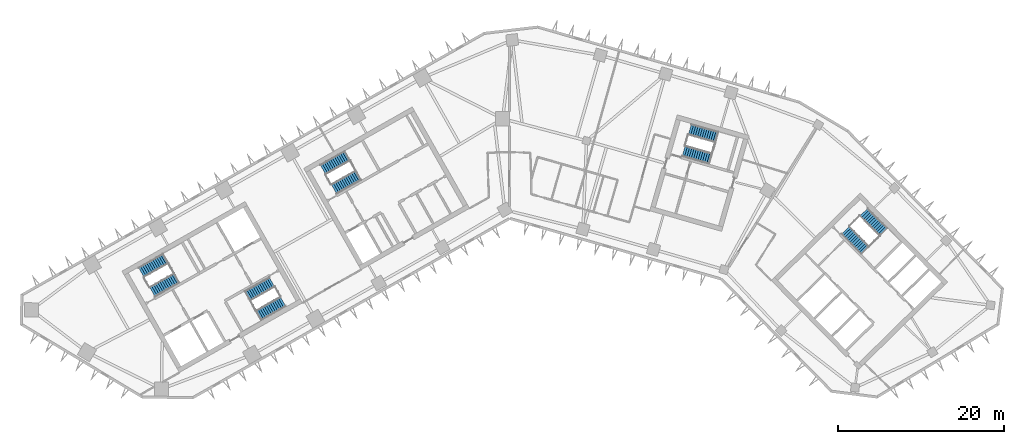
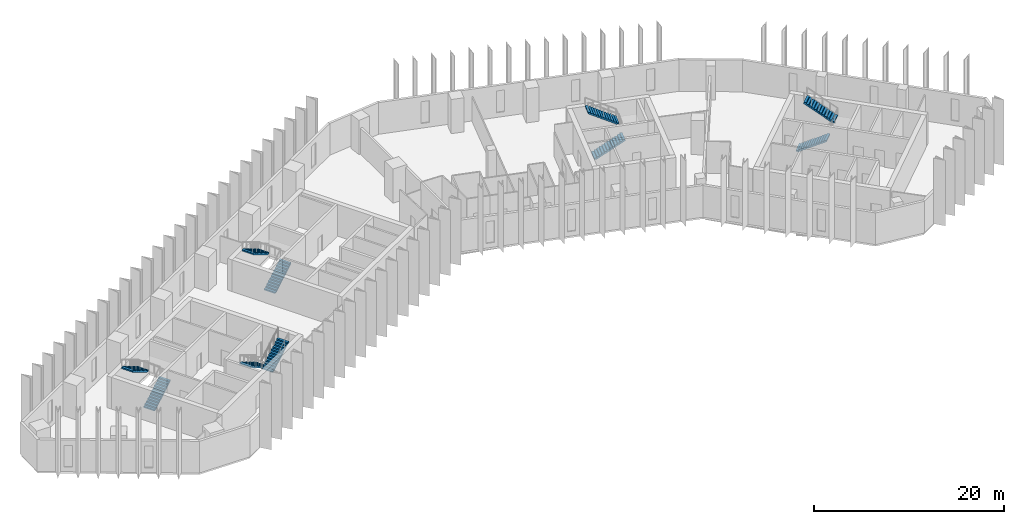
# One storey, part 8 of 11: 10 stair flights, 5 elements without a shape of their own.
"""IFC4 building model written with IfcOpenShell, lengths in metres."""

from ifc_helpers import new_model, si_unit, direction, frame, origin, place, context, subcontext, project, spatial, polyline, outline, extrude, material, type_object, element, aggregate, save


model = new_model("IFC4")

# Units and contexts
model_context = context("Model", 3, precision=1e-05, world=origin(), true_north=direction((0.0, 1.0)))
body_context = subcontext(model_context, "Body", "Model", "MODEL_VIEW")
ifc_project = project(units=[si_unit("LENGTHUNIT", "METRE"), si_unit("AREAUNIT", "SQUARE_METRE"), si_unit("VOLUMEUNIT", "CUBIC_METRE"), si_unit("PLANEANGLEUNIT", "RADIAN"), si_unit("MASSUNIT", "GRAM", prefix="KILO")], contexts=[model_context])

# Site, building, storey
site_placement = place(None, origin())
site = spatial("IfcSite", under=ifc_project, at=site_placement, CompositionType="ELEMENT")
building_placement = place(site_placement, origin())
building = spatial("IfcBuilding", under=site, at=building_placement, Name="Binnacle Exchange Tower", CompositionType="ELEMENT")
storey_placement = place(building_placement, frame((0.0, 0.0, 141.10009765625)))
storey = spatial("IfcBuildingStorey", under=building, at=storey_placement, Name="L29", CompositionType="ELEMENT", Elevation=141.10009765625)

# Stair, stair flights
ifc_material = material(Name="Concrete C35/45", Category="concrete")
stair_type = type_object("IfcStairType", Name="STAIR 26 RISERS 169", PredefinedType="HALF_TURN_STAIR", material=ifc_material)
stair_1_placement = place(storey_placement, origin())
stair_1 = element("IfcStair", 1, at=stair_1_placement, inside=storey, type_object=stair_type, Name="L29 Escape stair A1", PredefinedType="HALF_TURN_STAIR")
stair_flight_type = type_object("IfcStairFlightType", Name="STAIR FLIGHT 169X280", PredefinedType="STRAIGHT", material=ifc_material)
stair_flight_1_placement = place(storey_placement, frame((-42.9541015625, 39.17333984375, 0.0), z_axis=(0.0, 0.0, 1.0), x_axis=(0.870355584213, 0.492423757581, 0.0)))
stair_flight_1 = element("IfcStairFlight", 2, at=stair_flight_1_placement, type_object=stair_flight_type, Name="STA1 flight 1", NumberOfRisers=13, NumberOfTreads=12, PredefinedType="STRAIGHT", RiserHeight=0.169230769, TreadLength=0.28, context=body_context, shape_type="SweptSolid", body=[
    extrude(outline(polyline([(0.0, 0.0), (0.0, 0.169189453125), (0.280029296875, 0.169189453125), (0.280029296875, 0.33837890625), (0.56005859375, 0.33837890625), (0.56005859375, 0.5078125), (0.840087890625, 0.5078125), (0.840087890625, 0.677001953125), (1.1201171875, 0.677001953125), (1.1201171875, 0.84619140625), (1.39990234375, 0.84619140625), (1.39990234375, 1.015380859375), (1.679931640625, 1.015380859375), (1.679931640625, 1.1845703125), (1.9599609375, 1.1845703125), (1.9599609375, 1.353759765625), (2.239990234375, 1.353759765625), (2.239990234375, 1.523193359375), (2.52001953125, 1.523193359375), (2.52001953125, 1.6923828125), (2.800048828125, 1.6923828125), (2.800048828125, 1.861572265625), (3.080078125, 1.861572265625), (3.080078125, 2.03076171875), (3.360107421875, 2.03076171875), (3.360107421875, 2.199951171875), (3.360107421875, 1.855712890625), (0.289794921875, 0.0), (0.0, 0.0)])), frame((0.0, 0.675048828125, 0.0), z_axis=(0.0, -1.0, 0.0), x_axis=(1.0, 0.0, 0.0)), (0.0, 0.0, 1.0), 1.35009765625),
])
stair_flight_2_placement = place(storey_placement, frame((-41.359130859375, 43.177978515625, 2.199951171875), z_axis=(0.0, 0.0, 1.0), x_axis=(-0.870355584213, -0.492423757581, 0.0)))
stair_flight_2 = element("IfcStairFlight", 3, at=stair_flight_2_placement, type_object=stair_flight_type, Name="STA1 flight 2", NumberOfRisers=13, NumberOfTreads=12, PredefinedType="STRAIGHT", RiserHeight=0.169230769, TreadLength=0.28, context=body_context, shape_type="SweptSolid", body=[
    extrude(outline(polyline([(0.0, 0.0), (0.0, 0.169189453125), (0.280029296875, 0.169189453125), (0.280029296875, 0.33837890625), (0.56005859375, 0.33837890625), (0.56005859375, 0.5078125), (0.840087890625, 0.5078125), (0.840087890625, 0.677001953125), (1.1201171875, 0.677001953125), (1.1201171875, 0.84619140625), (1.39990234375, 0.84619140625), (1.39990234375, 1.015380859375), (1.679931640625, 1.015380859375), (1.679931640625, 1.1845703125), (1.9599609375, 1.1845703125), (1.9599609375, 1.353759765625), (2.239990234375, 1.353759765625), (2.239990234375, 1.523193359375), (2.52001953125, 1.523193359375), (2.52001953125, 1.6923828125), (2.800048828125, 1.6923828125), (2.800048828125, 1.861572265625), (3.080078125, 1.861572265625), (3.080078125, 2.03076171875), (3.360107421875, 2.03076171875), (3.360107421875, 2.199951171875), (3.360107421875, 1.855712890625), (0.289794921875, 0.0), (0.0, 0.0)])), frame((0.0, 0.675048828125, 0.0), z_axis=(0.0, -1.0, 0.0), x_axis=(1.0, 0.0, 0.0)), (0.0, 0.0, 1.0), 1.35009765625),
])
aggregate(stair_1, [stair_flight_1, stair_flight_2])

stair_2_placement = place(storey_placement, origin())
stair_2 = element("IfcStair", 4, at=stair_2_placement, inside=storey, type_object=stair_type, Name="L29 Escape stair A2", PredefinedType="HALF_TURN_STAIR")
stair_flight_3_placement = place(storey_placement, frame((-28.5732421875, 40.3583984375, 0.0), z_axis=(0.0, 0.0, 1.0), x_axis=(-0.870355584213, -0.492423757581, 0.0)))
stair_flight_3 = element("IfcStairFlight", 5, at=stair_flight_3_placement, type_object=stair_flight_type, Name="STA2 flight 1", NumberOfRisers=13, NumberOfTreads=12, PredefinedType="STRAIGHT", RiserHeight=0.169230769, TreadLength=0.28, context=body_context, shape_type="SweptSolid", body=[
    extrude(outline(polyline([(0.0, 0.0), (0.0, 0.169189453125), (0.280029296875, 0.169189453125), (0.280029296875, 0.33837890625), (0.56005859375, 0.33837890625), (0.56005859375, 0.5078125), (0.840087890625, 0.5078125), (0.840087890625, 0.677001953125), (1.1201171875, 0.677001953125), (1.1201171875, 0.84619140625), (1.39990234375, 0.84619140625), (1.39990234375, 1.015380859375), (1.679931640625, 1.015380859375), (1.679931640625, 1.1845703125), (1.9599609375, 1.1845703125), (1.9599609375, 1.353759765625), (2.239990234375, 1.353759765625), (2.239990234375, 1.523193359375), (2.52001953125, 1.523193359375), (2.52001953125, 1.6923828125), (2.800048828125, 1.6923828125), (2.800048828125, 1.861572265625), (3.080078125, 1.861572265625), (3.080078125, 2.03076171875), (3.360107421875, 2.03076171875), (3.360107421875, 2.199951171875), (3.360107421875, 1.855712890625), (0.289794921875, 0.0), (0.0, 0.0)])), frame((0.0, 0.675048828125, 0.0), z_axis=(0.0, -1.0, 0.0), x_axis=(1.0, 0.0, 0.0)), (0.0, 0.0, 1.0), 1.35009765625),
])
stair_flight_4_placement = place(storey_placement, frame((-30.16796875, 36.35400390625, 2.199951171875), z_axis=(0.0, 0.0, 1.0), x_axis=(0.870355584213, 0.492423757581, 0.0)))
stair_flight_4 = element("IfcStairFlight", 6, at=stair_flight_4_placement, type_object=stair_flight_type, Name="STA2 flight 2", NumberOfRisers=13, NumberOfTreads=12, PredefinedType="STRAIGHT", RiserHeight=0.169230769, TreadLength=0.28, context=body_context, shape_type="SweptSolid", body=[
    extrude(outline(polyline([(0.0, 0.0), (0.0, 0.169189453125), (0.280029296875, 0.169189453125), (0.280029296875, 0.33837890625), (0.56005859375, 0.33837890625), (0.56005859375, 0.5078125), (0.840087890625, 0.5078125), (0.840087890625, 0.677001953125), (1.1201171875, 0.677001953125), (1.1201171875, 0.84619140625), (1.39990234375, 0.84619140625), (1.39990234375, 1.015380859375), (1.679931640625, 1.015380859375), (1.679931640625, 1.1845703125), (1.9599609375, 1.1845703125), (1.9599609375, 1.353759765625), (2.239990234375, 1.353759765625), (2.239990234375, 1.523193359375), (2.52001953125, 1.523193359375), (2.52001953125, 1.6923828125), (2.800048828125, 1.6923828125), (2.800048828125, 1.861572265625), (3.080078125, 1.861572265625), (3.080078125, 2.03076171875), (3.360107421875, 2.03076171875), (3.360107421875, 2.199951171875), (3.360107421875, 1.855712890625), (0.289794921875, 0.0), (0.0, 0.0)])), frame((0.0, 0.675048828125, 0.0), z_axis=(0.0, -1.0, 0.0), x_axis=(1.0, 0.0, 0.0)), (0.0, 0.0, 1.0), 1.35009765625),
])
aggregate(stair_2, [stair_flight_3, stair_flight_4])

stair_3_placement = place(storey_placement, origin())
stair_3 = element("IfcStair", 7, at=stair_3_placement, inside=storey, type_object=stair_type, Name="L29 Escape stair B1", PredefinedType="HALF_TURN_STAIR")
stair_flight_5_placement = place(storey_placement, frame((40.376708984375, 46.608642578125, 0.0), z_axis=(0.0, 0.0, 1.0), x_axis=(0.70090935144, -0.713250363522, 0.0)))
stair_flight_5 = element("IfcStairFlight", 8, at=stair_flight_5_placement, type_object=stair_flight_type, Name="STB1 flight 1", NumberOfRisers=13, NumberOfTreads=12, PredefinedType="STRAIGHT", RiserHeight=0.169230769, TreadLength=0.28, context=body_context, shape_type="SweptSolid", body=[
    extrude(outline(polyline([(0.0, 0.0), (0.0, 0.169189453125), (0.280029296875, 0.169189453125), (0.280029296875, 0.33837890625), (0.56005859375, 0.33837890625), (0.56005859375, 0.5078125), (0.840087890625, 0.5078125), (0.840087890625, 0.677001953125), (1.1201171875, 0.677001953125), (1.1201171875, 0.84619140625), (1.39990234375, 0.84619140625), (1.39990234375, 1.015380859375), (1.679931640625, 1.015380859375), (1.679931640625, 1.1845703125), (1.9599609375, 1.1845703125), (1.9599609375, 1.353759765625), (2.239990234375, 1.353759765625), (2.239990234375, 1.523193359375), (2.52001953125, 1.523193359375), (2.52001953125, 1.6923828125), (2.800048828125, 1.6923828125), (2.800048828125, 1.861572265625), (3.080078125, 1.861572265625), (3.080078125, 2.03076171875), (3.360107421875, 2.03076171875), (3.360107421875, 2.199951171875), (3.360107421875, 1.855712890625), (0.289794921875, 0.0), (0.0, 0.0)])), frame((0.0, 0.675048828125, 0.0), z_axis=(0.0, -1.0, 0.0), x_axis=(1.0, 0.0, 0.0)), (0.0, 0.0, 1.0), 1.35009765625),
])
stair_flight_6_placement = place(storey_placement, frame((44.94287109375, 46.385009765625, 2.199951171875), z_axis=(0.0, 0.0, 1.0), x_axis=(-0.70090935144, 0.713250363522, 0.0)))
stair_flight_6 = element("IfcStairFlight", 9, at=stair_flight_6_placement, type_object=stair_flight_type, Name="STB1 flight 2", NumberOfRisers=13, NumberOfTreads=12, PredefinedType="STRAIGHT", RiserHeight=0.169230769, TreadLength=0.28, context=body_context, shape_type="SweptSolid", body=[
    extrude(outline(polyline([(0.0, 0.0), (0.0, 0.169189453125), (0.280029296875, 0.169189453125), (0.280029296875, 0.33837890625), (0.56005859375, 0.33837890625), (0.56005859375, 0.5078125), (0.840087890625, 0.5078125), (0.840087890625, 0.677001953125), (1.1201171875, 0.677001953125), (1.1201171875, 0.84619140625), (1.39990234375, 0.84619140625), (1.39990234375, 1.015380859375), (1.679931640625, 1.015380859375), (1.679931640625, 1.1845703125), (1.9599609375, 1.1845703125), (1.9599609375, 1.353759765625), (2.239990234375, 1.353759765625), (2.239990234375, 1.523193359375), (2.52001953125, 1.523193359375), (2.52001953125, 1.6923828125), (2.800048828125, 1.6923828125), (2.800048828125, 1.861572265625), (3.080078125, 1.861572265625), (3.080078125, 2.03076171875), (3.360107421875, 2.03076171875), (3.360107421875, 2.199951171875), (3.360107421875, 1.855712890625), (0.289794921875, 0.0), (0.0, 0.0)])), frame((0.0, 0.675048828125, 0.0), z_axis=(0.0, -1.0, 0.0), x_axis=(1.0, 0.0, 0.0)), (0.0, 0.0, 1.0), 1.35009765625),
])
aggregate(stair_3, [stair_flight_5, stair_flight_6])

stair_4_placement = place(storey_placement, origin())
stair_4 = element("IfcStair", 10, at=stair_4_placement, inside=storey, type_object=stair_type, Name="L29 Escape stair C1", PredefinedType="HALF_TURN_STAIR")
stair_flight_7_placement = place(storey_placement, frame((-21.115966796875, 51.528564453125, 0.0), z_axis=(0.0, 0.0, 1.0), x_axis=(0.870355584213, 0.492423757581, 0.0)))
stair_flight_7 = element("IfcStairFlight", 11, at=stair_flight_7_placement, type_object=stair_flight_type, Name="STC1 flight 1", NumberOfRisers=13, NumberOfTreads=12, PredefinedType="STRAIGHT", RiserHeight=0.169230769, TreadLength=0.28, context=body_context, shape_type="SweptSolid", body=[
    extrude(outline(polyline([(0.0, 0.0), (0.0, 0.169189453125), (0.280029296875, 0.169189453125), (0.280029296875, 0.33837890625), (0.56005859375, 0.33837890625), (0.56005859375, 0.5078125), (0.840087890625, 0.5078125), (0.840087890625, 0.677001953125), (1.1201171875, 0.677001953125), (1.1201171875, 0.84619140625), (1.39990234375, 0.84619140625), (1.39990234375, 1.015380859375), (1.679931640625, 1.015380859375), (1.679931640625, 1.1845703125), (1.9599609375, 1.1845703125), (1.9599609375, 1.353759765625), (2.239990234375, 1.353759765625), (2.239990234375, 1.523193359375), (2.52001953125, 1.523193359375), (2.52001953125, 1.6923828125), (2.800048828125, 1.6923828125), (2.800048828125, 1.861572265625), (3.080078125, 1.861572265625), (3.080078125, 2.03076171875), (3.360107421875, 2.03076171875), (3.360107421875, 2.199951171875), (3.360107421875, 1.855712890625), (0.289794921875, 0.0), (0.0, 0.0)])), frame((0.0, 0.675048828125, 0.0), z_axis=(0.0, -1.0, 0.0), x_axis=(1.0, 0.0, 0.0)), (0.0, 0.0, 1.0), 1.35009765625),
])
stair_flight_8_placement = place(storey_placement, frame((-19.521240234375, 55.533203125, 2.199951171875), z_axis=(0.0, 0.0, 1.0), x_axis=(-0.870355584213, -0.492423757581, 0.0)))
stair_flight_8 = element("IfcStairFlight", 12, at=stair_flight_8_placement, type_object=stair_flight_type, Name="STC1 flight 2", NumberOfRisers=13, NumberOfTreads=12, PredefinedType="STRAIGHT", RiserHeight=0.169230769, TreadLength=0.28, context=body_context, shape_type="SweptSolid", body=[
    extrude(outline(polyline([(0.0, 0.0), (0.0, 0.169189453125), (0.280029296875, 0.169189453125), (0.280029296875, 0.33837890625), (0.56005859375, 0.33837890625), (0.56005859375, 0.5078125), (0.840087890625, 0.5078125), (0.840087890625, 0.677001953125), (1.1201171875, 0.677001953125), (1.1201171875, 0.84619140625), (1.39990234375, 0.84619140625), (1.39990234375, 1.015380859375), (1.679931640625, 1.015380859375), (1.679931640625, 1.1845703125), (1.9599609375, 1.1845703125), (1.9599609375, 1.353759765625), (2.239990234375, 1.353759765625), (2.239990234375, 1.523193359375), (2.52001953125, 1.523193359375), (2.52001953125, 1.6923828125), (2.800048828125, 1.6923828125), (2.800048828125, 1.861572265625), (3.080078125, 1.861572265625), (3.080078125, 2.03076171875), (3.360107421875, 2.03076171875), (3.360107421875, 2.199951171875), (3.360107421875, 1.855712890625), (0.289794921875, 0.0), (0.0, 0.0)])), frame((0.0, 0.675048828125, 0.0), z_axis=(0.0, -1.0, 0.0), x_axis=(1.0, 0.0, 0.0)), (0.0, 0.0, 1.0), 1.35009765625),
])
aggregate(stair_4, [stair_flight_7, stair_flight_8])

stair_5_placement = place(storey_placement, origin())
stair_5 = element("IfcStair", 13, at=stair_5_placement, inside=storey, type_object=stair_type, Name="L29 Escape stair D1", PredefinedType="HALF_TURN_STAIR")
stair_flight_9_placement = place(storey_placement, frame((20.914306640625, 56.109619140625, 0.0), z_axis=(0.0, 0.0, 1.0), x_axis=(0.961261811397, -0.275636953165, 0.0)))
stair_flight_9 = element("IfcStairFlight", 14, at=stair_flight_9_placement, type_object=stair_flight_type, Name="STD1 flight 1", NumberOfRisers=13, NumberOfTreads=12, PredefinedType="STRAIGHT", RiserHeight=0.169230769, TreadLength=0.28, context=body_context, shape_type="SweptSolid", body=[
    extrude(outline(polyline([(0.0, 0.0), (0.0, 0.169189453125), (0.280029296875, 0.169189453125), (0.280029296875, 0.33837890625), (0.56005859375, 0.33837890625), (0.56005859375, 0.5078125), (0.840087890625, 0.5078125), (0.840087890625, 0.677001953125), (1.1201171875, 0.677001953125), (1.1201171875, 0.84619140625), (1.39990234375, 0.84619140625), (1.39990234375, 1.015380859375), (1.679931640625, 1.015380859375), (1.679931640625, 1.1845703125), (1.9599609375, 1.1845703125), (1.9599609375, 1.353759765625), (2.239990234375, 1.353759765625), (2.239990234375, 1.523193359375), (2.52001953125, 1.523193359375), (2.52001953125, 1.6923828125), (2.800048828125, 1.6923828125), (2.800048828125, 1.861572265625), (3.080078125, 1.861572265625), (3.080078125, 2.03076171875), (3.360107421875, 2.03076171875), (3.360107421875, 2.199951171875), (3.360107421875, 1.855712890625), (0.289794921875, 0.0), (0.0, 0.0)])), frame((0.0, 0.675048828125, 0.0), z_axis=(0.0, -1.0, 0.0), x_axis=(1.0, 0.0, 0.0)), (0.0, 0.0, 1.0), 1.35009765625),
])
stair_flight_10_placement = place(storey_placement, frame((24.888427734375, 57.77880859375, 2.199951171875), z_axis=(0.0, 0.0, 1.0), x_axis=(-0.961261811397, 0.275636953165, 0.0)))
stair_flight_10 = element("IfcStairFlight", 15, at=stair_flight_10_placement, type_object=stair_flight_type, Name="STD1 flight 2", NumberOfRisers=13, NumberOfTreads=12, PredefinedType="STRAIGHT", RiserHeight=0.169230769, TreadLength=0.28, context=body_context, shape_type="SweptSolid", body=[
    extrude(outline(polyline([(0.0, 0.0), (0.0, 0.169189453125), (0.280029296875, 0.169189453125), (0.280029296875, 0.33837890625), (0.56005859375, 0.33837890625), (0.56005859375, 0.5078125), (0.840087890625, 0.5078125), (0.840087890625, 0.677001953125), (1.1201171875, 0.677001953125), (1.1201171875, 0.84619140625), (1.39990234375, 0.84619140625), (1.39990234375, 1.015380859375), (1.679931640625, 1.015380859375), (1.679931640625, 1.1845703125), (1.9599609375, 1.1845703125), (1.9599609375, 1.353759765625), (2.239990234375, 1.353759765625), (2.239990234375, 1.523193359375), (2.52001953125, 1.523193359375), (2.52001953125, 1.6923828125), (2.800048828125, 1.6923828125), (2.800048828125, 1.861572265625), (3.080078125, 1.861572265625), (3.080078125, 2.03076171875), (3.360107421875, 2.03076171875), (3.360107421875, 2.199951171875), (3.360107421875, 1.855712890625), (0.289794921875, 0.0), (0.0, 0.0)])), frame((0.0, 0.675048828125, 0.0), z_axis=(0.0, -1.0, 0.0), x_axis=(1.0, 0.0, 0.0)), (0.0, 0.0, 1.0), 1.35009765625),
])
aggregate(stair_5, [stair_flight_9, stair_flight_10])

save(model, "model.ifc")
